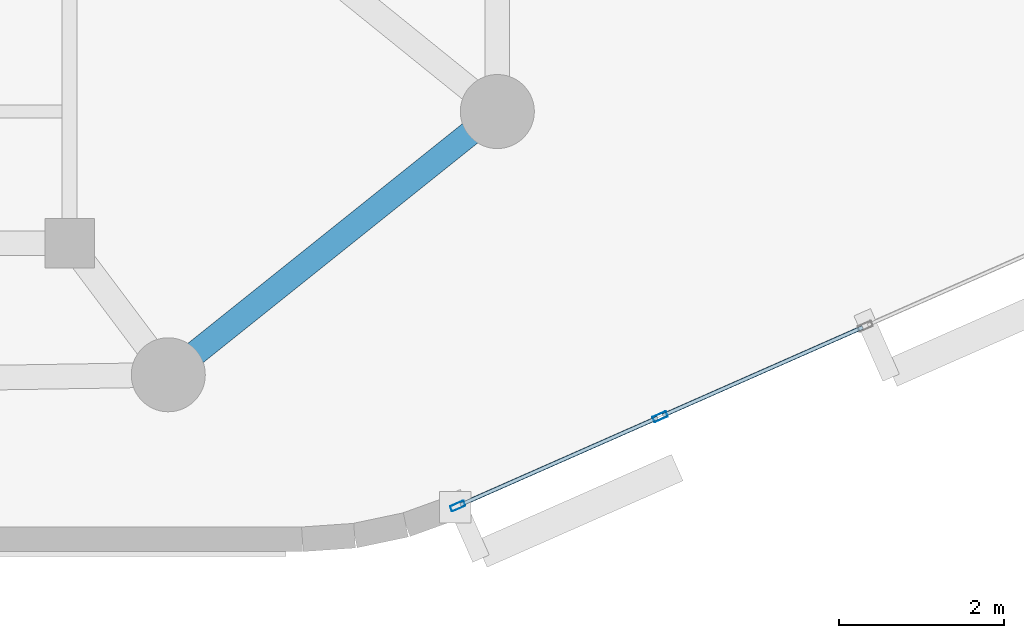
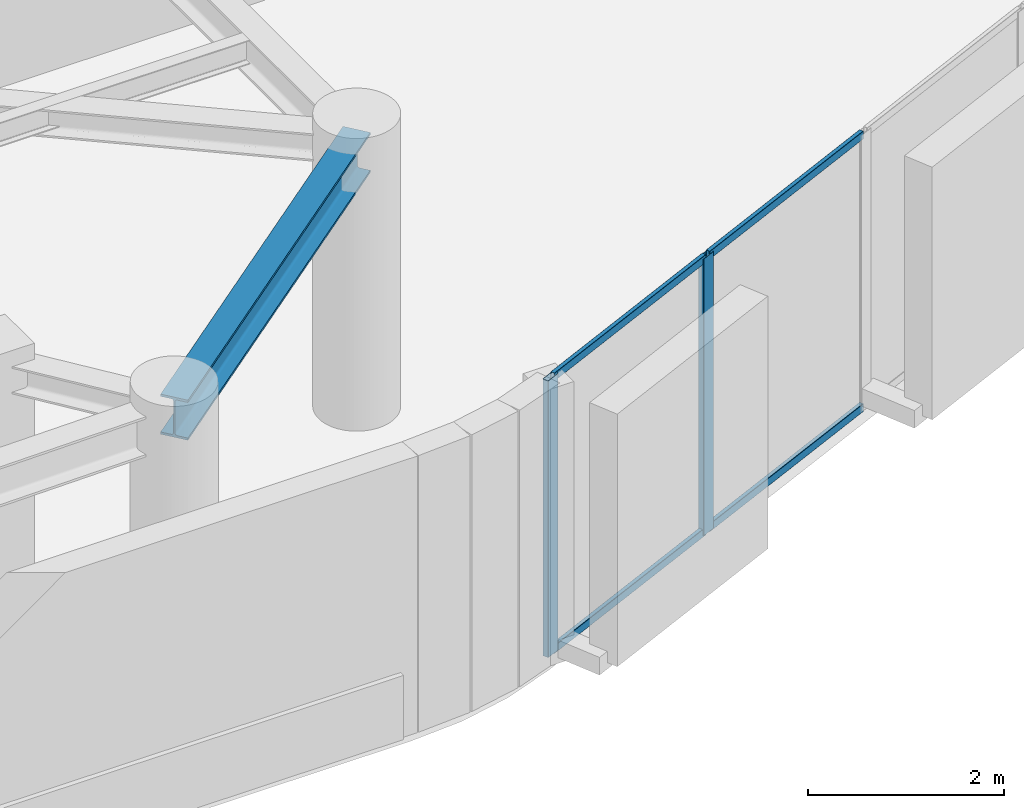
# One storey, part 2 of 12: 6 members, 1 beam, 1 element without a shape of its own.
"""IFC4 building model written with IfcOpenShell, lengths in metres."""

from ifc_helpers import new_model, si_unit, direction, frame, origin, origin_2d, place, context, subcontext, project, spatial, hollow_rectangle, i_section, extrude, material, layer, layer_set, material_profile, profile_set, type_object, element, aggregate, save


model = new_model("IFC4")

# Units and contexts
model_context = context("Model", 3, precision=1e-05, world=origin(), true_north=direction((0.0, 1.0)))
body_context = subcontext(model_context, "Body", "Model", "MODEL_VIEW")
ifc_project = project(units=[si_unit("LENGTHUNIT", "METRE"), si_unit("AREAUNIT", "SQUARE_METRE"), si_unit("VOLUMEUNIT", "CUBIC_METRE"), si_unit("PLANEANGLEUNIT", "RADIAN"), si_unit("MASSUNIT", "GRAM", prefix="KILO")], contexts=[model_context])

# Site, building, storey
site_placement = place(None, origin())
site = spatial("IfcSite", under=ifc_project, at=site_placement, CompositionType="ELEMENT")
building_placement = place(site_placement, origin())
building = spatial("IfcBuilding", under=site, at=building_placement, Name="An Khanh Terracotta Commons", CompositionType="ELEMENT")
storey_placement = place(building_placement, frame((0.0, 0.0, 273.39990234375)))
storey = spatial("IfcBuildingStorey", under=building, at=storey_placement, Name="L71", CompositionType="ELEMENT", Elevation=273.39990234375)

# Beam
ifc_material_1 = material(Name="Steel S355J2", Category="steel")
ifc_material_profile_1 = material_profile(ifc_material_1, i_section(OverallWidth=0.300048828125, OverallDepth=0.5, WebThickness=0.014404296875, FlangeThickness=0.028076171875, FilletRadius=0.027099609375, at=origin_2d()), Name="HEB500")
ifc_profile_set_1 = profile_set([ifc_material_profile_1], Name="Steel S355J2")
beam_type = type_object("IfcBeamType", Name="BM-HEB500", PredefinedType="BEAM", material=ifc_profile_set_1)
beam_placement = place(storey_placement, frame((59.39990234375, 12.800048828125, 3.2001953125), z_axis=(0.780873459249, 0.624689235253, 0.0), x_axis=(-0.624689235253, 0.780873459249, 0.0)))
element("IfcBeam", 1, at=beam_placement, inside=storey, type_object=beam_type, Name="L71 Perimeter Ring Spandrel 2", PredefinedType="BEAM", context=body_context, shape_type="SweptSolid", body=[
    extrude(i_section(OverallWidth=0.300048828125, OverallDepth=0.5, WebThickness=0.014404296875, FlangeThickness=0.028076171875, FilletRadius=0.027099609375, at=origin_2d()), origin(), (0.0, 0.0, 1.0), 5.12255859375),
])

# Curtain wall, members
ifc_material_2 = material(Name="Anodised Aluminium 6063-T6", Category="aluminium")
ifc_layer = layer(ifc_material_2, 0.2099609375, Name="Anodised Aluminium 6063-T6")
ifc_layer_set = layer_set([ifc_layer], Name="Anodised Aluminium 6063-T6")
curtain_wall_type = type_object("IfcCurtainWallType", Name="CW-SYS-03", PredefinedType="USERDEFINED", material=ifc_layer_set)
curtain_wall_placement = place(storey_placement, origin())
curtain_wall = element("IfcCurtainWall", 2, at=curtain_wall_placement, inside=storey, type_object=curtain_wall_type, Name="L71 CW-03 Unitised Curtain Wall CW-L71-08", ObjectType="UNITISED CURTAIN WALL", PredefinedType="USERDEFINED")
ifc_material_profile_2 = material_profile(ifc_material_2, hollow_rectangle(XDim=0.070068359375, YDim=0.179931640625, WallThickness=0.00390625, InnerFilletRadius=0.00390625, OuterFilletRadius=0.008056640625, at=origin_2d()), Name="RHS180x70x4")
ifc_profile_set_2 = profile_set([ifc_material_profile_2], Name="Anodised Aluminium 6063-T6")
member_type_1 = type_object("IfcMemberType", Name="CWM-RHS180x70x4", PredefinedType="MULLION", material=ifc_profile_set_2)
member_1_placement = place(storey_placement, frame((62.9189453125, 11.205078125, 0.0), z_axis=(0.0, 0.0, 1.0), x_axis=(-0.403676354285, 0.914901853201, 0.0)))
member_1 = element("IfcMember", 3, at=member_1_placement, type_object=member_type_1, Name="CW-03 mullion 1", PredefinedType="MULLION", context=body_context, shape_type="SweptSolid", body=[
    extrude(hollow_rectangle(XDim=0.070068359375, YDim=0.179931640625, WallThickness=0.00390625, InnerFilletRadius=0.00390625, OuterFilletRadius=0.008056640625, at=origin_2d()), origin(), (0.0, 0.0, 1.0), 3.4501953125),
])
member_2_placement = place(storey_placement, frame((65.37939453125, 12.290771484375, 0.0), z_axis=(0.0, 0.0, 1.0), x_axis=(-0.403676354285, 0.914901853201, 0.0)))
member_2 = element("IfcMember", 4, at=member_2_placement, type_object=member_type_1, Name="CW-03 mullion 2", PredefinedType="MULLION", context=body_context, shape_type="SweptSolid", body=[
    extrude(hollow_rectangle(XDim=0.070068359375, YDim=0.179931640625, WallThickness=0.00390625, InnerFilletRadius=0.00390625, OuterFilletRadius=0.008056640625, at=origin_2d()), origin(), (0.0, 0.0, 1.0), 3.4501953125),
])
ifc_material_profile_3 = material_profile(ifc_material_2, hollow_rectangle(XDim=0.050048828125, YDim=0.10009765625, WallThickness=0.003173828125, InnerFilletRadius=0.003173828125, OuterFilletRadius=0.00634765625, at=origin_2d()), Name="RHS100x50x3.2")
ifc_profile_set_3 = profile_set([ifc_material_profile_3], Name="Anodised Aluminium 6063-T6")
member_type_2 = type_object("IfcMemberType", Name="CWT-RHS100x50x3.2", PredefinedType="USERDEFINED", material=ifc_profile_set_3)
member_3_placement = place(storey_placement, frame((62.950927734375, 11.21923828125, 0.025146484375), z_axis=(0.914903627858, 0.403672332137, 0.0), x_axis=(-0.403672332137, 0.914903627858, 0.0)))
member_3 = element("IfcMember", 5, at=member_3_placement, type_object=member_type_2, Name="CW-03 transom 1.1", ObjectType="TRANSOM", PredefinedType="USERDEFINED", context=body_context, shape_type="SweptSolid", body=[
    extrude(hollow_rectangle(XDim=0.050048828125, YDim=0.10009765625, WallThickness=0.003173828125, InnerFilletRadius=0.003173828125, OuterFilletRadius=0.00634765625, at=origin_2d()), origin(), (0.0, 0.0, 1.0), 2.619384765625),
])
member_4_placement = place(storey_placement, frame((62.950927734375, 11.21923828125, 3.425048828125), z_axis=(0.914903627858, 0.403672332137, 0.0), x_axis=(-0.403672332137, 0.914903627858, 0.0)))
member_4 = element("IfcMember", 6, at=member_4_placement, type_object=member_type_2, Name="CW-03 transom 1.2", ObjectType="TRANSOM", PredefinedType="USERDEFINED", context=body_context, shape_type="SweptSolid", body=[
    extrude(hollow_rectangle(XDim=0.050048828125, YDim=0.10009765625, WallThickness=0.003173828125, InnerFilletRadius=0.003173828125, OuterFilletRadius=0.00634765625, at=origin_2d()), origin(), (0.0, 0.0, 1.0), 2.619384765625),
])
member_5_placement = place(storey_placement, frame((65.41162109375, 12.304931640625, 0.025146484375), z_axis=(0.914896820753, 0.403687759755, 0.0), x_axis=(-0.403687759755, 0.914896820753, 0.0)))
member_5 = element("IfcMember", 7, at=member_5_placement, type_object=member_type_2, Name="CW-03 transom 2.1", ObjectType="TRANSOM", PredefinedType="USERDEFINED", context=body_context, shape_type="SweptSolid", body=[
    extrude(hollow_rectangle(XDim=0.050048828125, YDim=0.10009765625, WallThickness=0.003173828125, InnerFilletRadius=0.003173828125, OuterFilletRadius=0.00634765625, at=origin_2d()), origin(), (0.0, 0.0, 1.0), 2.654296875),
])
member_6_placement = place(storey_placement, frame((65.41162109375, 12.304931640625, 3.425048828125), z_axis=(0.914896820753, 0.403687759755, 0.0), x_axis=(-0.403687759755, 0.914896820753, 0.0)))
member_6 = element("IfcMember", 8, at=member_6_placement, type_object=member_type_2, Name="CW-03 transom 2.2", ObjectType="TRANSOM", PredefinedType="USERDEFINED", context=body_context, shape_type="SweptSolid", body=[
    extrude(hollow_rectangle(XDim=0.050048828125, YDim=0.10009765625, WallThickness=0.003173828125, InnerFilletRadius=0.003173828125, OuterFilletRadius=0.00634765625, at=origin_2d()), origin(), (0.0, 0.0, 1.0), 2.654296875),
])
aggregate(curtain_wall, [member_1, member_2, member_3, member_4, member_5, member_6])

save(model, "model.ifc")
